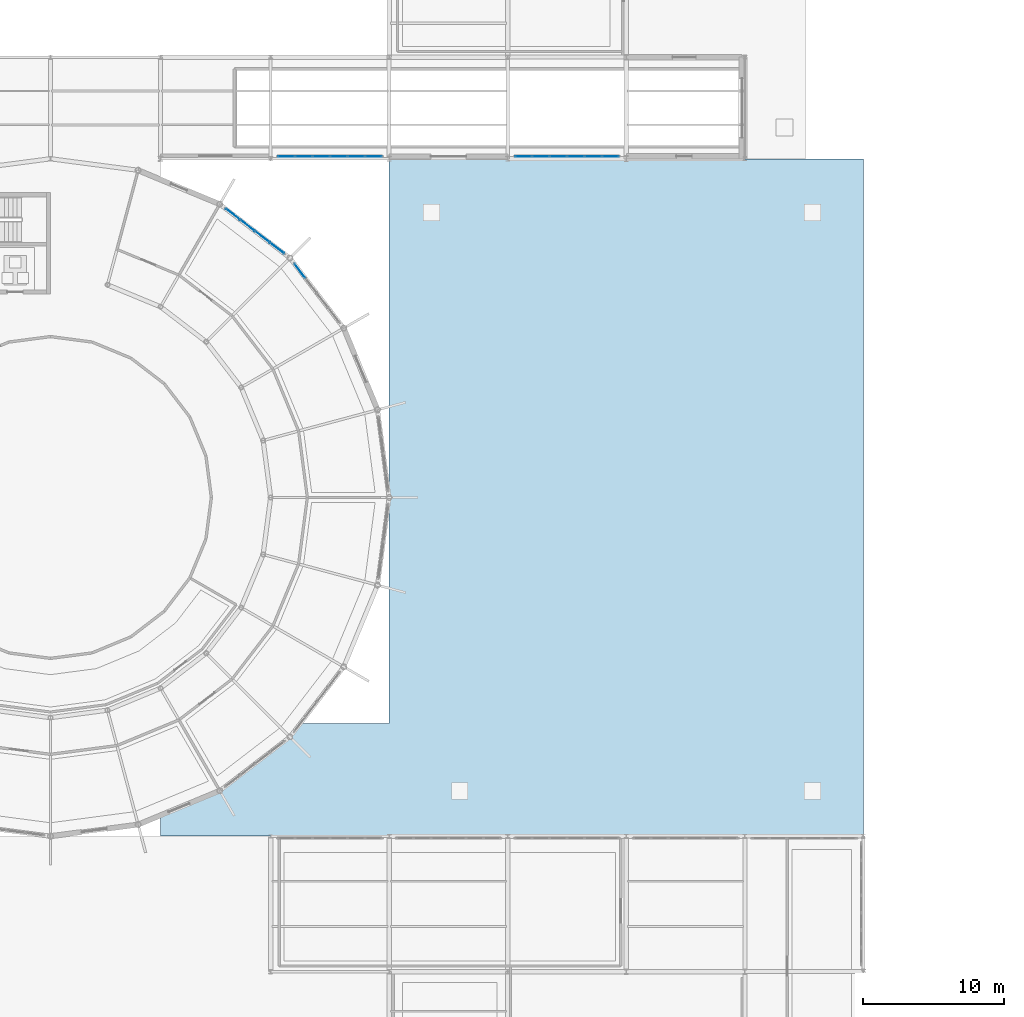
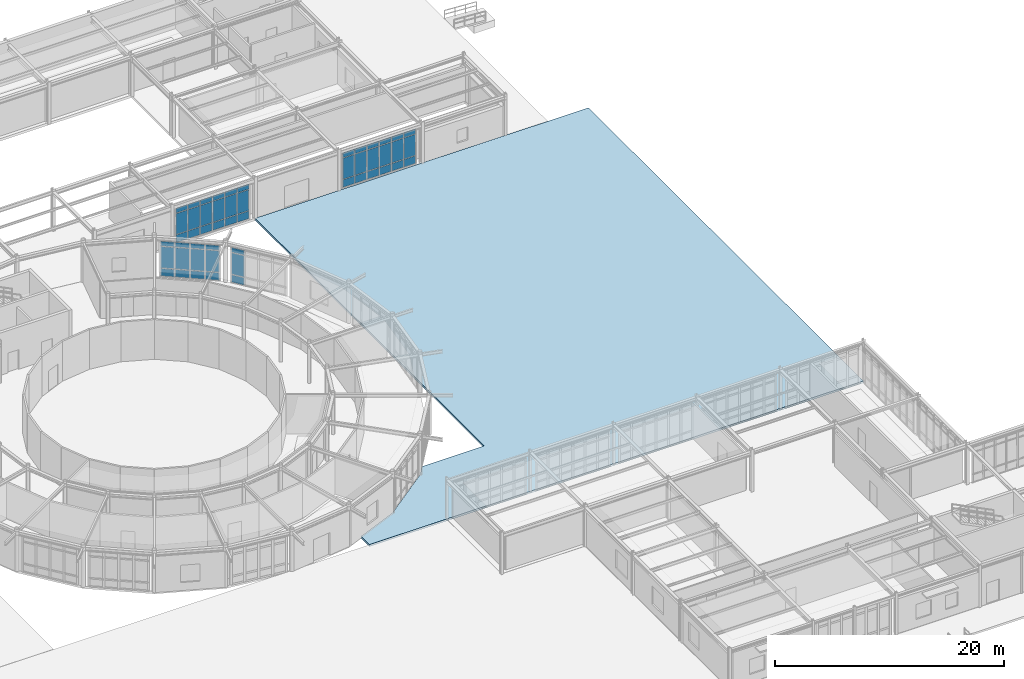
# One storey, part 69 of 101: 51 plates, 1 slab, 4 elements without a shape of their own.
"""IFC4 building model written with IfcOpenShell, lengths in metres."""

import ifcopenshell
import ifcopenshell.guid

model = None  # the IFC model being written
_history = None  # IfcOwnerHistory: only IFC2X3 demands one
_inside = {}  # id of a spatial element -> (the spatial element, [elements in it])
_under = {}  # id of a project, library or spatial element -> (it, [spatial elements below it])
_declared = {}  # id of a project -> (the project, [libraries it declares])
_typed = {}  # id of a type object -> (the type object, [elements of that type])
_made_of = {}  # id of a material, layer set ... -> (it, [elements and type objects made of it])


def new_model(schema):
    """Start an empty IFC model of exactly this schema.

    Asked for "IFC4X3", IfcOpenShell would pick the latest addendum, in which some entities
    have other attributes; the version numbers below select the first issue.
    IFC2X3 requires an IfcOwnerHistory on every rooted entity: one is made here for all.
    """
    global model, _history
    if schema == "IFC4X3":
        model = ifcopenshell.file(schema_version=(4, 3, 0, 0))
    else:
        model = ifcopenshell.file(schema=schema)
    _inside.clear()
    _under.clear()
    _declared.clear()
    _typed.clear()
    _made_of.clear()
    _history = None
    if model.schema == "IFC2X3":
        org = make("IfcOrganization", Name="unknown")
        user = make(
            "IfcPersonAndOrganization",
            ThePerson=make("IfcPerson", FamilyName="unknown"),
            TheOrganization=org,
        )
        app = make(
            "IfcApplication",
            ApplicationDeveloper=org,
            Version="unknown",
            ApplicationFullName="unknown",
            ApplicationIdentifier="unknown",
        )
        _history = make(
            "IfcOwnerHistory",
            OwningUser=user,
            OwningApplication=app,
            ChangeAction="ADDED",
            CreationDate=0,
        )
    return model


def make(cls, **values):
    """One entity of the class cls with the attributes given. An attribute that is None is left unset."""
    return model.create_entity(
        cls, **{name: value for name, value in values.items() if value is not None}
    )


def rooted(cls, **values):
    """An entity with a GlobalId (a new one), such as an element, a storey or a relation."""
    return make(cls, GlobalId=ifcopenshell.guid.new(), OwnerHistory=_history, **values)


def si_unit(unit_type, name, prefix=None):
    """IfcSIUnit, for example si_unit("LENGTHUNIT", "METRE", prefix="MILLI")."""
    return make("IfcSIUnit", UnitType=unit_type, Prefix=prefix, Name=name)


def derived_unit(unit_type, elements):
    """IfcDerivedUnit: a product of units, each with its exponent."""
    return make(
        "IfcDerivedUnit",
        Elements=[
            make("IfcDerivedUnitElement", Unit=unit, Exponent=power)
            for unit, power in elements
        ],
        UnitType=unit_type,
    )


def assignment(units):
    """IfcUnitAssignment: the units of a project."""
    return None if units is None else make("IfcUnitAssignment", Units=units)


def point(xyz):
    """IfcCartesianPoint."""
    return None if xyz is None else make("IfcCartesianPoint", Coordinates=xyz)


def direction(xyz):
    """IfcDirection."""
    return None if xyz is None else make("IfcDirection", DirectionRatios=xyz)


def frame(location, z_axis=None, x_axis=None):
    """IfcAxis2Placement3D, a coordinate frame: its origin and axes. An axis left out is left unset."""
    return make(
        "IfcAxis2Placement3D",
        Location=point(location),
        Axis=direction(z_axis),
        RefDirection=direction(x_axis),
    )


def frame_2d(location, x_axis=None):
    """IfcAxis2Placement2D, a coordinate frame in the plane: its origin and x axis."""
    return make(
        "IfcAxis2Placement2D", Location=point(location), RefDirection=direction(x_axis)
    )


def origin():
    """The frame at (0, 0, 0) with its axes left unset."""
    return frame((0.0, 0.0, 0.0))


def origin_2d():
    """The frame at (0, 0) in the plane with its x axis left unset."""
    return frame_2d((0.0, 0.0))


def place(relative_to, where):
    """IfcLocalPlacement: puts the frame where relative to a parent placement (None: the world)."""
    return make(
        "IfcLocalPlacement", PlacementRelTo=relative_to, RelativePlacement=where
    )


def context(
    kind, dimensions, precision=None, world=None, true_north=None, identifier=None
):
    """IfcGeometricRepresentationContext, for example the 3D "Model" context."""
    return make(
        "IfcGeometricRepresentationContext",
        ContextIdentifier=identifier,
        ContextType=kind,
        CoordinateSpaceDimension=dimensions,
        Precision=precision,
        WorldCoordinateSystem=world,
        TrueNorth=true_north,
    )


def subcontext(parent, identifier, kind, view, scale=None):
    """IfcGeometricRepresentationSubContext, for example "Body" below "Model"."""
    return make(
        "IfcGeometricRepresentationSubContext",
        ContextIdentifier=identifier,
        ContextType=kind,
        ParentContext=parent,
        TargetScale=scale,
        TargetView=view,
    )


def project(units=None, contexts=None):
    """IfcProject with its units and contexts."""
    return rooted(
        "IfcProject",
        Name="project",
        RepresentationContexts=contexts,
        UnitsInContext=assignment(units),
    )


def spatial(cls, under=None, at=None, **own):
    """A site, building, storey or space (cls), placed at a placement, below another one or the project."""
    s = rooted(cls, ObjectPlacement=at, **own)
    if under is not None:
        _under.setdefault(under.id(), (under, []))[1].append(s)
    return s


def polyline(points):
    """IfcPolyline through the points."""
    return make("IfcPolyline", Points=[point(p) for p in points])


def profile(cls, at=None, kind="AREA", **sizes):
    """A parametric profile (cls). Its sizes go by their IFC names, for example OverallWidth=200.0."""
    return make(cls, ProfileType=kind, Position=at, **sizes)


def rectangle(**sizes):
    """IfcRectangleProfileDef."""
    return profile("IfcRectangleProfileDef", **sizes)


def outline(outer, holes=None, kind="AREA"):
    """IfcArbitraryClosedProfileDef: a profile drawn as a closed curve; with holes, ...WithVoids."""
    if holes is None:
        return make("IfcArbitraryClosedProfileDef", ProfileType=kind, OuterCurve=outer)
    return make(
        "IfcArbitraryProfileDefWithVoids",
        ProfileType=kind,
        OuterCurve=outer,
        InnerCurves=holes,
    )


def extrude(swept, where, along, depth):
    """IfcExtrudedAreaSolid: the profile swept, set in the frame where, extruded along a direction by depth."""
    return make(
        "IfcExtrudedAreaSolid",
        SweptArea=swept,
        Position=where,
        ExtrudedDirection=direction(along),
        Depth=depth,
    )


def shape(context_of_items, identifier, shape_type, items):
    """IfcShapeRepresentation: the items that make up one representation, for example the "Body"."""
    return make(
        "IfcShapeRepresentation",
        ContextOfItems=context_of_items,
        RepresentationIdentifier=identifier,
        RepresentationType=shape_type,
        Items=items,
    )


def material(Name=None, Category=None):
    """IfcMaterial."""
    return make("IfcMaterial", Name=Name, Category=Category)


def layer(
    of_material, thickness, ventilated=None, Name=None, Category=None, Priority=None
):
    """IfcMaterialLayer: one layer of a wall or slab, of a material (None: an air gap)."""
    return make(
        "IfcMaterialLayer",
        Material=of_material,
        LayerThickness=thickness,
        IsVentilated=ventilated,
        Name=Name,
        Category=Category,
        Priority=Priority,
    )


def layer_set(layers, Name=None):
    """IfcMaterialLayerSet."""
    return make("IfcMaterialLayerSet", MaterialLayers=layers, LayerSetName=Name)


def made_of(thing, what):
    """Note that an element or type object is made of a material, layer set ...; save() writes the relation."""
    if what is not None:
        _made_of.setdefault(what.id(), (what, []))[1].append(thing)
    return thing


def type_object(cls, material=None, **own):
    """A type object (cls), such as IfcWallType, which elements share."""
    return made_of(rooted(cls, **own), material)


def element(
    cls,
    number,
    at=None,
    inside=None,
    cuts=None,
    type_object=None,
    material=None,
    context=None,
    identifier="Body",
    shape_type=None,
    held_by="IfcProductDefinitionShape",
    body=None,
    shapes=None,
    **own,
):
    """One element of the class cls, such as IfcWall. Its Tag is "e" and its number.

    at: its placement. inside: the storey or other place that contains it. cuts: it is an
    opening in that element (IfcRelVoidsElement). A single representation is given by context,
    identifier, shape_type and body (its items); several are given by shapes. held_by: the class
    of the entity that holds the representations. save() writes the other relations.
    """
    e = rooted(cls, Tag="e%d" % number, ObjectPlacement=at, **own)
    if body is not None:
        shapes = [shape(context, identifier, shape_type, body)]
    if shapes is not None:
        e.Representation = make(held_by, Representations=shapes)
    if inside is not None:
        _inside.setdefault(inside.id(), (inside, []))[1].append(e)
    if cuts is not None:
        rooted(
            "IfcRelVoidsElement", RelatingBuildingElement=cuts, RelatedOpeningElement=e
        )
    if type_object is not None:
        _typed.setdefault(type_object.id(), (type_object, []))[1].append(e)
    return made_of(e, material)


def aggregate(whole, parts):
    """IfcRelAggregates: a whole, such as a stair, and the parts it consists of."""
    return rooted("IfcRelAggregates", RelatingObject=whole, RelatedObjects=parts)


def save(model, path):
    """Write the relations noted so far, then the file.

    IfcRelAggregates (storeys below a building ...), IfcRelContainedInSpatialStructure (elements
    in a storey), IfcRelDefinesByType, IfcRelAssociatesMaterial and IfcRelDeclares: one each for
    every whole, place, type object, material and project.
    """
    for whole, parts in _under.values():
        aggregate(whole, parts)
    for where, things in _inside.values():
        rooted(
            "IfcRelContainedInSpatialStructure",
            RelatedElements=things,
            RelatingStructure=where,
        )
    for kind, things in _typed.values():
        rooted("IfcRelDefinesByType", RelatedObjects=things, RelatingType=kind)
    for what, things in _made_of.values():
        rooted("IfcRelAssociatesMaterial", RelatedObjects=things, RelatingMaterial=what)
    for by, libraries in _declared.values():
        rooted("IfcRelDeclares", RelatingContext=by, RelatedDefinitions=libraries)
    model.write(path)


model = new_model("IFC4")

# Units and contexts
model_context = context("Model", 3, precision=1e-05, world=origin(), true_north=direction((0.0, 1.0)))
body_context = subcontext(model_context, "Body", "Model", "MODEL_VIEW")
ifc_project = project(units=[si_unit("LENGTHUNIT", "METRE"), si_unit("AREAUNIT", "SQUARE_METRE"), si_unit("VOLUMEUNIT", "CUBIC_METRE"), si_unit("PLANEANGLEUNIT", "RADIAN"), si_unit("MASSUNIT", "GRAM", prefix="KILO"), derived_unit("THERMALTRANSMITTANCEUNIT", [(si_unit("POWERUNIT", "WATT"), 1), (si_unit("AREAUNIT", "SQUARE_METRE"), -1), (si_unit("THERMODYNAMICTEMPERATUREUNIT", "KELVIN"), -1)])], contexts=[model_context])

# Site, building, storey
site_placement = place(None, origin())
site = spatial("IfcSite", under=ifc_project, at=site_placement, CompositionType="ELEMENT")
building_placement = place(site_placement, origin())
building = spatial("IfcBuilding", under=site, at=building_placement, Name="Yasenodar Specialist Clinic", CompositionType="ELEMENT")
storey_placement = place(building_placement, origin())
storey = spatial("IfcBuildingStorey", under=building, at=storey_placement, Name="L00", CompositionType="ELEMENT", Elevation=0.0)

# Curtain wall, plates
ifc_material_1 = material(Name="Bronze Anodized Aluminium and Triple Low-E Glass", Category="aluminium")
ifc_layer_1 = layer(ifc_material_1, 0.1669921875)
ifc_layer_set_1 = layer_set([ifc_layer_1], Name="Bronze Anodized Aluminium and Triple Low-E Glass")
curtain_wall_type_1 = type_object("IfcCurtainWallType", Name="CW-SYS-01", PredefinedType="USERDEFINED", material=ifc_layer_set_1)
curtain_wall_1_placement = place(storey_placement, origin())
curtain_wall_1 = element("IfcCurtainWall", 1, at=curtain_wall_1_placement, inside=storey, type_object=curtain_wall_type_1, Name="L00 Unitised Curtain Wall 002", ObjectType="UNITISED CURTAIN WALL", PredefinedType="USERDEFINED")
ifc_material_2 = material(Name="Triple Low-E Argon Glazing", Category="glass")
ifc_layer_2 = layer(ifc_material_2, 0.0400390625)
ifc_layer_set_2 = layer_set([ifc_layer_2], Name="Triple Low-E Argon Glazing")
plate_type_1 = type_object("IfcPlateType", Name="CW-PAN-3", PredefinedType="CURTAIN_PANEL", material=ifc_layer_set_2)
plate_1_placement = place(storey_placement, frame((98.67724609375, 74.849853515625, 0.070068359375), z_axis=(0.0, 0.0, 1.0), x_axis=(0.608752021844, -0.793360558574, 0.0)))
plate_1 = element("IfcPlate", 2, at=plate_1_placement, type_object=plate_type_1, Name="CW-01 panel 1.1", PredefinedType="CURTAIN_PANEL", context=body_context, shape_type="SweptSolid", body=[
    extrude(rectangle(XDim=1.221435546875, YDim=0.0400390625, at=origin_2d()), origin(), (0.0, 0.0, 1.0), 0.794921875),
])
plate_2_placement = place(storey_placement, frame((98.67724609375, 74.849853515625, 0.93505859375), z_axis=(0.0, 0.0, 1.0), x_axis=(0.608752021844, -0.793360558574, 0.0)))
plate_2 = element("IfcPlate", 3, at=plate_2_placement, type_object=plate_type_1, Name="CW-01 panel 1.2", PredefinedType="CURTAIN_PANEL", context=body_context, shape_type="SweptSolid", body=[
    extrude(rectangle(XDim=1.221435546875, YDim=0.0400390625, at=origin_2d()), origin(), (0.0, 0.0, 1.0), 2.26806640625),
])
plate_3_placement = place(storey_placement, frame((98.67724609375, 74.849853515625, 3.27294921875), z_axis=(0.0, 0.0, 1.0), x_axis=(0.608752021844, -0.793360558574, 0.0)))
plate_3 = element("IfcPlate", 4, at=plate_3_placement, type_object=plate_type_1, Name="CW-01 panel 1.3", PredefinedType="CURTAIN_PANEL", context=body_context, shape_type="SweptSolid", body=[
    extrude(rectangle(XDim=1.221435546875, YDim=0.0400390625, at=origin_2d()), origin(), (0.0, 0.0, 1.0), 0.4951171875),
])
aggregate(curtain_wall_1, [plate_1, plate_2, plate_3])

ifc_layer_3 = layer(ifc_material_1, 0.215087890625)
ifc_layer_set_3 = layer_set([ifc_layer_3], Name="Bronze Anodized Aluminium and Triple Low-E Glass")
curtain_wall_type_2 = type_object("IfcCurtainWallType", Name="CW-SYS-05", PredefinedType="USERDEFINED", material=ifc_layer_set_3)
curtain_wall_2_placement = place(storey_placement, origin())
curtain_wall_2 = element("IfcCurtainWall", 5, at=curtain_wall_2_placement, inside=storey, type_object=curtain_wall_type_2, Name="L00 Unitised Curtain Wall 146", ObjectType="UNITISED CURTAIN WALL", PredefinedType="USERDEFINED")
plate_4_placement = place(storey_placement, frame((120.68505859375, 82.969970703125, 0.06005859375), z_axis=(0.0, 0.0, 1.0), x_axis=(-1.0, 0.0, 0.0)))
plate_4 = element("IfcPlate", 6, at=plate_4_placement, type_object=plate_type_1, Name="CW-05 panel 1.1", PredefinedType="CURTAIN_PANEL", context=body_context, shape_type="SweptSolid", body=[
    extrude(rectangle(XDim=1.14990234375, YDim=0.0400390625, at=origin_2d()), origin(), (0.0, 0.0, 1.0), 0.81005859375),
])
plate_5_placement = place(storey_placement, frame((120.68505859375, 82.969970703125, 0.929931640625), z_axis=(0.0, 0.0, 1.0), x_axis=(-1.0, 0.0, 0.0)))
plate_5 = element("IfcPlate", 7, at=plate_5_placement, type_object=plate_type_1, Name="CW-05 panel 1.2", PredefinedType="CURTAIN_PANEL", context=body_context, shape_type="SweptSolid", body=[
    extrude(rectangle(XDim=1.14990234375, YDim=0.0400390625, at=origin_2d()), origin(), (0.0, 0.0, 1.0), 2.22802734375),
])
plate_6_placement = place(storey_placement, frame((120.68505859375, 82.969970703125, 3.2177734375), z_axis=(0.0, 0.0, 1.0), x_axis=(-1.0, 0.0, 0.0)))
plate_6 = element("IfcPlate", 8, at=plate_6_placement, type_object=plate_type_1, Name="CW-05 panel 1.3", PredefinedType="CURTAIN_PANEL", context=body_context, shape_type="SweptSolid", body=[
    extrude(rectangle(XDim=1.14990234375, YDim=0.0400390625, at=origin_2d()), origin(), (0.0, 0.0, 1.0), 0.510009765625),
])
plate_7_placement = place(storey_placement, frame((119.4599609375, 82.969970703125, 0.06005859375), z_axis=(0.0, 0.0, 1.0), x_axis=(-1.0, 0.0, 0.0)))
plate_7 = element("IfcPlate", 9, at=plate_7_placement, type_object=plate_type_1, Name="CW-05 panel 2.1", PredefinedType="CURTAIN_PANEL", context=body_context, shape_type="SweptSolid", body=[
    extrude(rectangle(XDim=1.179931640625, YDim=0.0400390625, at=origin_2d()), origin(), (0.0, 0.0, 1.0), 0.81005859375),
])
plate_8_placement = place(storey_placement, frame((119.4599609375, 82.969970703125, 0.929931640625), z_axis=(0.0, 0.0, 1.0), x_axis=(-1.0, 0.0, 0.0)))
plate_8 = element("IfcPlate", 10, at=plate_8_placement, type_object=plate_type_1, Name="CW-05 panel 2.2", PredefinedType="CURTAIN_PANEL", context=body_context, shape_type="SweptSolid", body=[
    extrude(rectangle(XDim=1.179931640625, YDim=0.0400390625, at=origin_2d()), origin(), (0.0, 0.0, 1.0), 2.22802734375),
])
plate_9_placement = place(storey_placement, frame((119.4599609375, 82.969970703125, 3.2177734375), z_axis=(0.0, 0.0, 1.0), x_axis=(-1.0, 0.0, 0.0)))
plate_9 = element("IfcPlate", 11, at=plate_9_placement, type_object=plate_type_1, Name="CW-05 panel 2.3", PredefinedType="CURTAIN_PANEL", context=body_context, shape_type="SweptSolid", body=[
    extrude(rectangle(XDim=1.179931640625, YDim=0.0400390625, at=origin_2d()), origin(), (0.0, 0.0, 1.0), 0.510009765625),
])
plate_10_placement = place(storey_placement, frame((118.219970703125, 82.969970703125, 0.06005859375), z_axis=(0.0, 0.0, 1.0), x_axis=(-1.0, 0.0, 0.0)))
plate_10 = element("IfcPlate", 12, at=plate_10_placement, type_object=plate_type_1, Name="CW-05 panel 3.1", PredefinedType="CURTAIN_PANEL", context=body_context, shape_type="SweptSolid", body=[
    extrude(rectangle(XDim=1.179931640625, YDim=0.0400390625, at=origin_2d()), origin(), (0.0, 0.0, 1.0), 0.81005859375),
])
plate_11_placement = place(storey_placement, frame((118.219970703125, 82.969970703125, 0.929931640625), z_axis=(0.0, 0.0, 1.0), x_axis=(-1.0, 0.0, 0.0)))
plate_11 = element("IfcPlate", 13, at=plate_11_placement, type_object=plate_type_1, Name="CW-05 panel 3.2", PredefinedType="CURTAIN_PANEL", context=body_context, shape_type="SweptSolid", body=[
    extrude(rectangle(XDim=1.179931640625, YDim=0.0400390625, at=origin_2d()), origin(), (0.0, 0.0, 1.0), 2.22802734375),
])
plate_12_placement = place(storey_placement, frame((118.219970703125, 82.969970703125, 3.2177734375), z_axis=(0.0, 0.0, 1.0), x_axis=(-1.0, 0.0, 0.0)))
plate_12 = element("IfcPlate", 14, at=plate_12_placement, type_object=plate_type_1, Name="CW-05 panel 3.3", PredefinedType="CURTAIN_PANEL", context=body_context, shape_type="SweptSolid", body=[
    extrude(rectangle(XDim=1.179931640625, YDim=0.0400390625, at=origin_2d()), origin(), (0.0, 0.0, 1.0), 0.510009765625),
])
plate_13_placement = place(storey_placement, frame((116.97998046875, 82.969970703125, 0.06005859375), z_axis=(0.0, 0.0, 1.0), x_axis=(-1.0, 0.0, 0.0)))
plate_13 = element("IfcPlate", 15, at=plate_13_placement, type_object=plate_type_1, Name="CW-05 panel 4.1", PredefinedType="CURTAIN_PANEL", context=body_context, shape_type="SweptSolid", body=[
    extrude(rectangle(XDim=1.179931640625, YDim=0.0400390625, at=origin_2d()), origin(), (0.0, 0.0, 1.0), 0.81005859375),
])
plate_14_placement = place(storey_placement, frame((116.97998046875, 82.969970703125, 0.929931640625), z_axis=(0.0, 0.0, 1.0), x_axis=(-1.0, 0.0, 0.0)))
plate_14 = element("IfcPlate", 16, at=plate_14_placement, type_object=plate_type_1, Name="CW-05 panel 4.2", PredefinedType="CURTAIN_PANEL", context=body_context, shape_type="SweptSolid", body=[
    extrude(rectangle(XDim=1.179931640625, YDim=0.0400390625, at=origin_2d()), origin(), (0.0, 0.0, 1.0), 2.22802734375),
])
plate_15_placement = place(storey_placement, frame((116.97998046875, 82.969970703125, 3.2177734375), z_axis=(0.0, 0.0, 1.0), x_axis=(-1.0, 0.0, 0.0)))
plate_15 = element("IfcPlate", 17, at=plate_15_placement, type_object=plate_type_1, Name="CW-05 panel 4.3", PredefinedType="CURTAIN_PANEL", context=body_context, shape_type="SweptSolid", body=[
    extrude(rectangle(XDim=1.179931640625, YDim=0.0400390625, at=origin_2d()), origin(), (0.0, 0.0, 1.0), 0.510009765625),
])
plate_16_placement = place(storey_placement, frame((115.739990234375, 82.969970703125, 0.06005859375), z_axis=(0.0, 0.0, 1.0), x_axis=(-1.0, 0.0, 0.0)))
plate_16 = element("IfcPlate", 18, at=plate_16_placement, type_object=plate_type_1, Name="CW-05 panel 5.1", PredefinedType="CURTAIN_PANEL", context=body_context, shape_type="SweptSolid", body=[
    extrude(rectangle(XDim=1.179931640625, YDim=0.0400390625, at=origin_2d()), origin(), (0.0, 0.0, 1.0), 0.81005859375),
])
plate_17_placement = place(storey_placement, frame((115.739990234375, 82.969970703125, 0.929931640625), z_axis=(0.0, 0.0, 1.0), x_axis=(-1.0, 0.0, 0.0)))
plate_17 = element("IfcPlate", 19, at=plate_17_placement, type_object=plate_type_1, Name="CW-05 panel 5.2", PredefinedType="CURTAIN_PANEL", context=body_context, shape_type="SweptSolid", body=[
    extrude(rectangle(XDim=1.179931640625, YDim=0.0400390625, at=origin_2d()), origin(), (0.0, 0.0, 1.0), 2.22802734375),
])
plate_18_placement = place(storey_placement, frame((115.739990234375, 82.969970703125, 3.2177734375), z_axis=(0.0, 0.0, 1.0), x_axis=(-1.0, 0.0, 0.0)))
plate_18 = element("IfcPlate", 20, at=plate_18_placement, type_object=plate_type_1, Name="CW-05 panel 5.3", PredefinedType="CURTAIN_PANEL", context=body_context, shape_type="SweptSolid", body=[
    extrude(rectangle(XDim=1.179931640625, YDim=0.0400390625, at=origin_2d()), origin(), (0.0, 0.0, 1.0), 0.510009765625),
])
plate_19_placement = place(storey_placement, frame((114.514892578125, 82.969970703125, 0.06005859375), z_axis=(0.0, 0.0, 1.0), x_axis=(-1.0, 0.0, 0.0)))
plate_19 = element("IfcPlate", 21, at=plate_19_placement, type_object=plate_type_1, Name="CW-05 panel 6.1", PredefinedType="CURTAIN_PANEL", context=body_context, shape_type="SweptSolid", body=[
    extrude(rectangle(XDim=1.14990234375, YDim=0.0400390625, at=origin_2d()), origin(), (0.0, 0.0, 1.0), 0.81005859375),
])
plate_20_placement = place(storey_placement, frame((114.514892578125, 82.969970703125, 0.929931640625), z_axis=(0.0, 0.0, 1.0), x_axis=(-1.0, 0.0, 0.0)))
plate_20 = element("IfcPlate", 22, at=plate_20_placement, type_object=plate_type_1, Name="CW-05 panel 6.2", PredefinedType="CURTAIN_PANEL", context=body_context, shape_type="SweptSolid", body=[
    extrude(rectangle(XDim=1.14990234375, YDim=0.0400390625, at=origin_2d()), origin(), (0.0, 0.0, 1.0), 2.22802734375),
])
plate_21_placement = place(storey_placement, frame((114.514892578125, 82.969970703125, 3.2177734375), z_axis=(0.0, 0.0, 1.0), x_axis=(-1.0, 0.0, 0.0)))
plate_21 = element("IfcPlate", 23, at=plate_21_placement, type_object=plate_type_1, Name="CW-05 panel 6.3", PredefinedType="CURTAIN_PANEL", context=body_context, shape_type="SweptSolid", body=[
    extrude(rectangle(XDim=1.14990234375, YDim=0.0400390625, at=origin_2d()), origin(), (0.0, 0.0, 1.0), 0.510009765625),
])
aggregate(curtain_wall_2, [plate_4, plate_5, plate_6, plate_7, plate_8, plate_9, plate_10, plate_11, plate_12, plate_13, plate_14, plate_15, plate_16, plate_17, plate_18, plate_19, plate_20, plate_21])

curtain_wall_3_placement = place(storey_placement, origin())
curtain_wall_3 = element("IfcCurtainWall", 24, at=curtain_wall_3_placement, inside=storey, type_object=curtain_wall_type_1, Name="L00 Unitised Curtain Wall 003", ObjectType="UNITISED CURTAIN WALL", PredefinedType="USERDEFINED")
ifc_layer_4 = layer(ifc_material_2, 0.0458984375)
ifc_layer_set_4 = layer_set([ifc_layer_4], Name="Triple Low-E Argon Glazing")
plate_type_2 = type_object("IfcPlateType", Name="CW-PAN-4", PredefinedType="CURTAIN_PANEL", material=ifc_layer_set_4)
plate_22_placement = place(storey_placement, frame((93.9208984375, 78.8779296875, 0.070068359375), z_axis=(0.0, 0.0, 1.0), x_axis=(0.793360558574, -0.608752021844, 0.0)))
plate_22 = element("IfcPlate", 25, at=plate_22_placement, type_object=plate_type_2, Name="CW-01 panel 1.1", PredefinedType="CURTAIN_PANEL", context=body_context, shape_type="SweptSolid", body=[
    extrude(rectangle(XDim=1.221435546875, YDim=0.0458984375, at=origin_2d()), origin(), (0.0, 0.0, 1.0), 0.794921875),
])
plate_23_placement = place(storey_placement, frame((93.9208984375, 78.8779296875, 0.93505859375), z_axis=(0.0, 0.0, 1.0), x_axis=(0.793360558574, -0.608752021844, 0.0)))
plate_23 = element("IfcPlate", 26, at=plate_23_placement, type_object=plate_type_2, Name="CW-01 panel 1.2", PredefinedType="CURTAIN_PANEL", context=body_context, shape_type="SweptSolid", body=[
    extrude(rectangle(XDim=1.221435546875, YDim=0.0458984375, at=origin_2d()), origin(), (0.0, 0.0, 1.0), 2.26806640625),
])
plate_24_placement = place(storey_placement, frame((93.9208984375, 78.8779296875, 3.27294921875), z_axis=(0.0, 0.0, 1.0), x_axis=(0.793360558574, -0.608752021844, 0.0)))
plate_24 = element("IfcPlate", 27, at=plate_24_placement, type_object=plate_type_2, Name="CW-01 panel 1.3", PredefinedType="CURTAIN_PANEL", context=body_context, shape_type="SweptSolid", body=[
    extrude(rectangle(XDim=1.221435546875, YDim=0.0458984375, at=origin_2d()), origin(), (0.0, 0.0, 1.0), 0.4951171875),
])
plate_25_placement = place(storey_placement, frame((94.959228515625, 78.081298828125, 0.070068359375), z_axis=(0.0, 0.0, 1.0), x_axis=(0.793360558574, -0.608752021844, 0.0)))
plate_25 = element("IfcPlate", 28, at=plate_25_placement, type_object=plate_type_2, Name="CW-01 panel 2.1", PredefinedType="CURTAIN_PANEL", context=body_context, shape_type="SweptSolid", body=[
    extrude(rectangle(XDim=1.25634765625, YDim=0.0458984375, at=origin_2d()), origin(), (0.0, 0.0, 1.0), 0.794921875),
])
plate_26_placement = place(storey_placement, frame((94.959228515625, 78.081298828125, 0.93505859375), z_axis=(0.0, 0.0, 1.0), x_axis=(0.793360558574, -0.608752021844, 0.0)))
plate_26 = element("IfcPlate", 29, at=plate_26_placement, type_object=plate_type_2, Name="CW-01 panel 2.2", PredefinedType="CURTAIN_PANEL", context=body_context, shape_type="SweptSolid", body=[
    extrude(rectangle(XDim=1.25634765625, YDim=0.0458984375, at=origin_2d()), origin(), (0.0, 0.0, 1.0), 2.26806640625),
])
plate_27_placement = place(storey_placement, frame((94.959228515625, 78.081298828125, 3.27294921875), z_axis=(0.0, 0.0, 1.0), x_axis=(0.793360558574, -0.608752021844, 0.0)))
plate_27 = element("IfcPlate", 30, at=plate_27_placement, type_object=plate_type_2, Name="CW-01 panel 2.3", PredefinedType="CURTAIN_PANEL", context=body_context, shape_type="SweptSolid", body=[
    extrude(rectangle(XDim=1.25634765625, YDim=0.0458984375, at=origin_2d()), origin(), (0.0, 0.0, 1.0), 0.4951171875),
])
plate_28_placement = place(storey_placement, frame((96.011474609375, 77.27392578125, 0.070068359375), z_axis=(0.0, 0.0, 1.0), x_axis=(0.793360558574, -0.608752021844, 0.0)))
plate_28 = element("IfcPlate", 31, at=plate_28_placement, type_object=plate_type_2, Name="CW-01 panel 3.1", PredefinedType="CURTAIN_PANEL", context=body_context, shape_type="SweptSolid", body=[
    extrude(rectangle(XDim=1.25634765625, YDim=0.0458984375, at=origin_2d()), origin(), (0.0, 0.0, 1.0), 0.794921875),
])
plate_29_placement = place(storey_placement, frame((96.011474609375, 77.27392578125, 0.93505859375), z_axis=(0.0, 0.0, 1.0), x_axis=(0.793360558574, -0.608752021844, 0.0)))
plate_29 = element("IfcPlate", 32, at=plate_29_placement, type_object=plate_type_2, Name="CW-01 panel 3.2", PredefinedType="CURTAIN_PANEL", context=body_context, shape_type="SweptSolid", body=[
    extrude(rectangle(XDim=1.25634765625, YDim=0.0458984375, at=origin_2d()), origin(), (0.0, 0.0, 1.0), 2.26806640625),
])
plate_30_placement = place(storey_placement, frame((96.011474609375, 77.27392578125, 3.27294921875), z_axis=(0.0, 0.0, 1.0), x_axis=(0.793360558574, -0.608752021844, 0.0)))
plate_30 = element("IfcPlate", 33, at=plate_30_placement, type_object=plate_type_2, Name="CW-01 panel 3.3", PredefinedType="CURTAIN_PANEL", context=body_context, shape_type="SweptSolid", body=[
    extrude(rectangle(XDim=1.25634765625, YDim=0.0458984375, at=origin_2d()), origin(), (0.0, 0.0, 1.0), 0.4951171875),
])
plate_31_placement = place(storey_placement, frame((97.0498046875, 76.47705078125, 0.070068359375), z_axis=(0.0, 0.0, 1.0), x_axis=(0.793360558574, -0.608752021844, 0.0)))
plate_31 = element("IfcPlate", 34, at=plate_31_placement, type_object=plate_type_2, Name="CW-01 panel 4.1", PredefinedType="CURTAIN_PANEL", context=body_context, shape_type="SweptSolid", body=[
    extrude(rectangle(XDim=1.221435546875, YDim=0.0458984375, at=origin_2d()), origin(), (0.0, 0.0, 1.0), 0.794921875),
])
plate_32_placement = place(storey_placement, frame((97.0498046875, 76.47705078125, 0.93505859375), z_axis=(0.0, 0.0, 1.0), x_axis=(0.793360558574, -0.608752021844, 0.0)))
plate_32 = element("IfcPlate", 35, at=plate_32_placement, type_object=plate_type_2, Name="CW-01 panel 4.2", PredefinedType="CURTAIN_PANEL", context=body_context, shape_type="SweptSolid", body=[
    extrude(rectangle(XDim=1.221435546875, YDim=0.0458984375, at=origin_2d()), origin(), (0.0, 0.0, 1.0), 2.26806640625),
])
plate_33_placement = place(storey_placement, frame((97.0498046875, 76.47705078125, 3.27294921875), z_axis=(0.0, 0.0, 1.0), x_axis=(0.793360558574, -0.608752021844, 0.0)))
plate_33 = element("IfcPlate", 36, at=plate_33_placement, type_object=plate_type_2, Name="CW-01 panel 4.3", PredefinedType="CURTAIN_PANEL", context=body_context, shape_type="SweptSolid", body=[
    extrude(rectangle(XDim=1.221435546875, YDim=0.0458984375, at=origin_2d()), origin(), (0.0, 0.0, 1.0), 0.4951171875),
])
aggregate(curtain_wall_3, [plate_22, plate_23, plate_24, plate_25, plate_26, plate_27, plate_28, plate_29, plate_30, plate_31, plate_32, plate_33])

curtain_wall_4_placement = place(storey_placement, origin())
curtain_wall_4 = element("IfcCurtainWall", 37, at=curtain_wall_4_placement, inside=storey, type_object=curtain_wall_type_2, Name="L00 Unitised Curtain Wall 147", ObjectType="UNITISED CURTAIN WALL", PredefinedType="USERDEFINED")
plate_34_placement = place(storey_placement, frame((103.885009765625, 82.969970703125, 0.06005859375), z_axis=(0.0, 0.0, 1.0), x_axis=(-1.0, 0.0, 0.0)))
plate_34 = element("IfcPlate", 38, at=plate_34_placement, type_object=plate_type_2, Name="CW-05 panel 1.1", PredefinedType="CURTAIN_PANEL", context=body_context, shape_type="SweptSolid", body=[
    extrude(rectangle(XDim=1.14990234375, YDim=0.0458984375, at=origin_2d()), origin(), (0.0, 0.0, 1.0), 0.81005859375),
])
plate_35_placement = place(storey_placement, frame((103.885009765625, 82.969970703125, 0.93017578125), z_axis=(0.0, 0.0, 1.0), x_axis=(-1.0, 0.0, 0.0)))
plate_35 = element("IfcPlate", 39, at=plate_35_placement, type_object=plate_type_2, Name="CW-05 panel 1.2", PredefinedType="CURTAIN_PANEL", context=body_context, shape_type="SweptSolid", body=[
    extrude(rectangle(XDim=1.14990234375, YDim=0.0458984375, at=origin_2d()), origin(), (0.0, 0.0, 1.0), 2.218017578125),
])
plate_36_placement = place(storey_placement, frame((103.885009765625, 82.969970703125, 3.2080078125), z_axis=(0.0, 0.0, 1.0), x_axis=(-1.0, 0.0, 0.0)))
plate_36 = element("IfcPlate", 40, at=plate_36_placement, type_object=plate_type_2, Name="CW-05 panel 1.3", PredefinedType="CURTAIN_PANEL", context=body_context, shape_type="SweptSolid", body=[
    extrude(rectangle(XDim=1.14990234375, YDim=0.0458984375, at=origin_2d()), origin(), (0.0, 0.0, 1.0), 0.510009765625),
])
plate_37_placement = place(storey_placement, frame((102.659912109375, 82.969970703125, 0.06005859375), z_axis=(0.0, 0.0, 1.0), x_axis=(-1.0, 0.0, 0.0)))
plate_37 = element("IfcPlate", 41, at=plate_37_placement, type_object=plate_type_2, Name="CW-05 panel 2.1", PredefinedType="CURTAIN_PANEL", context=body_context, shape_type="SweptSolid", body=[
    extrude(rectangle(XDim=1.179931640625, YDim=0.0458984375, at=origin_2d()), origin(), (0.0, 0.0, 1.0), 0.81005859375),
])
plate_38_placement = place(storey_placement, frame((102.659912109375, 82.969970703125, 0.93017578125), z_axis=(0.0, 0.0, 1.0), x_axis=(-1.0, 0.0, 0.0)))
plate_38 = element("IfcPlate", 42, at=plate_38_placement, type_object=plate_type_2, Name="CW-05 panel 2.2", PredefinedType="CURTAIN_PANEL", context=body_context, shape_type="SweptSolid", body=[
    extrude(rectangle(XDim=1.179931640625, YDim=0.0458984375, at=origin_2d()), origin(), (0.0, 0.0, 1.0), 2.218017578125),
])
plate_39_placement = place(storey_placement, frame((102.659912109375, 82.969970703125, 3.2080078125), z_axis=(0.0, 0.0, 1.0), x_axis=(-1.0, 0.0, 0.0)))
plate_39 = element("IfcPlate", 43, at=plate_39_placement, type_object=plate_type_2, Name="CW-05 panel 2.3", PredefinedType="CURTAIN_PANEL", context=body_context, shape_type="SweptSolid", body=[
    extrude(rectangle(XDim=1.179931640625, YDim=0.0458984375, at=origin_2d()), origin(), (0.0, 0.0, 1.0), 0.510009765625),
])
plate_40_placement = place(storey_placement, frame((101.419921875, 82.969970703125, 0.06005859375), z_axis=(0.0, 0.0, 1.0), x_axis=(-1.0, 0.0, 0.0)))
plate_40 = element("IfcPlate", 44, at=plate_40_placement, type_object=plate_type_2, Name="CW-05 panel 3.1", PredefinedType="CURTAIN_PANEL", context=body_context, shape_type="SweptSolid", body=[
    extrude(rectangle(XDim=1.179931640625, YDim=0.0458984375, at=origin_2d()), origin(), (0.0, 0.0, 1.0), 0.81005859375),
])
plate_41_placement = place(storey_placement, frame((101.419921875, 82.969970703125, 0.93017578125), z_axis=(0.0, 0.0, 1.0), x_axis=(-1.0, 0.0, 0.0)))
plate_41 = element("IfcPlate", 45, at=plate_41_placement, type_object=plate_type_2, Name="CW-05 panel 3.2", PredefinedType="CURTAIN_PANEL", context=body_context, shape_type="SweptSolid", body=[
    extrude(rectangle(XDim=1.179931640625, YDim=0.0458984375, at=origin_2d()), origin(), (0.0, 0.0, 1.0), 2.218017578125),
])
plate_42_placement = place(storey_placement, frame((101.419921875, 82.969970703125, 3.2080078125), z_axis=(0.0, 0.0, 1.0), x_axis=(-1.0, 0.0, 0.0)))
plate_42 = element("IfcPlate", 46, at=plate_42_placement, type_object=plate_type_2, Name="CW-05 panel 3.3", PredefinedType="CURTAIN_PANEL", context=body_context, shape_type="SweptSolid", body=[
    extrude(rectangle(XDim=1.179931640625, YDim=0.0458984375, at=origin_2d()), origin(), (0.0, 0.0, 1.0), 0.510009765625),
])
plate_43_placement = place(storey_placement, frame((100.179931640625, 82.969970703125, 0.06005859375), z_axis=(0.0, 0.0, 1.0), x_axis=(-1.0, 0.0, 0.0)))
plate_43 = element("IfcPlate", 47, at=plate_43_placement, type_object=plate_type_2, Name="CW-05 panel 4.1", PredefinedType="CURTAIN_PANEL", context=body_context, shape_type="SweptSolid", body=[
    extrude(rectangle(XDim=1.179931640625, YDim=0.0458984375, at=origin_2d()), origin(), (0.0, 0.0, 1.0), 0.81005859375),
])
plate_44_placement = place(storey_placement, frame((100.179931640625, 82.969970703125, 0.93017578125), z_axis=(0.0, 0.0, 1.0), x_axis=(-1.0, 0.0, 0.0)))
plate_44 = element("IfcPlate", 48, at=plate_44_placement, type_object=plate_type_2, Name="CW-05 panel 4.2", PredefinedType="CURTAIN_PANEL", context=body_context, shape_type="SweptSolid", body=[
    extrude(rectangle(XDim=1.179931640625, YDim=0.0458984375, at=origin_2d()), origin(), (0.0, 0.0, 1.0), 2.218017578125),
])
plate_45_placement = place(storey_placement, frame((100.179931640625, 82.969970703125, 3.2080078125), z_axis=(0.0, 0.0, 1.0), x_axis=(-1.0, 0.0, 0.0)))
plate_45 = element("IfcPlate", 49, at=plate_45_placement, type_object=plate_type_2, Name="CW-05 panel 4.3", PredefinedType="CURTAIN_PANEL", context=body_context, shape_type="SweptSolid", body=[
    extrude(rectangle(XDim=1.179931640625, YDim=0.0458984375, at=origin_2d()), origin(), (0.0, 0.0, 1.0), 0.510009765625),
])
plate_46_placement = place(storey_placement, frame((98.93994140625, 82.969970703125, 0.06005859375), z_axis=(0.0, 0.0, 1.0), x_axis=(-1.0, 0.0, 0.0)))
plate_46 = element("IfcPlate", 50, at=plate_46_placement, type_object=plate_type_2, Name="CW-05 panel 5.1", PredefinedType="CURTAIN_PANEL", context=body_context, shape_type="SweptSolid", body=[
    extrude(rectangle(XDim=1.179931640625, YDim=0.0458984375, at=origin_2d()), origin(), (0.0, 0.0, 1.0), 0.81005859375),
])
plate_47_placement = place(storey_placement, frame((98.93994140625, 82.969970703125, 0.93017578125), z_axis=(0.0, 0.0, 1.0), x_axis=(-1.0, 0.0, 0.0)))
plate_47 = element("IfcPlate", 51, at=plate_47_placement, type_object=plate_type_2, Name="CW-05 panel 5.2", PredefinedType="CURTAIN_PANEL", context=body_context, shape_type="SweptSolid", body=[
    extrude(rectangle(XDim=1.179931640625, YDim=0.0458984375, at=origin_2d()), origin(), (0.0, 0.0, 1.0), 2.218017578125),
])
plate_48_placement = place(storey_placement, frame((98.93994140625, 82.969970703125, 3.2080078125), z_axis=(0.0, 0.0, 1.0), x_axis=(-1.0, 0.0, 0.0)))
plate_48 = element("IfcPlate", 52, at=plate_48_placement, type_object=plate_type_2, Name="CW-05 panel 5.3", PredefinedType="CURTAIN_PANEL", context=body_context, shape_type="SweptSolid", body=[
    extrude(rectangle(XDim=1.179931640625, YDim=0.0458984375, at=origin_2d()), origin(), (0.0, 0.0, 1.0), 0.510009765625),
])
plate_49_placement = place(storey_placement, frame((97.715087890625, 82.969970703125, 0.06005859375), z_axis=(0.0, 0.0, 1.0), x_axis=(-1.0, 0.0, 0.0)))
plate_49 = element("IfcPlate", 53, at=plate_49_placement, type_object=plate_type_2, Name="CW-05 panel 6.1", PredefinedType="CURTAIN_PANEL", context=body_context, shape_type="SweptSolid", body=[
    extrude(rectangle(XDim=1.14990234375, YDim=0.0458984375, at=origin_2d()), origin(), (0.0, 0.0, 1.0), 0.81005859375),
])
plate_50_placement = place(storey_placement, frame((97.715087890625, 82.969970703125, 0.93017578125), z_axis=(0.0, 0.0, 1.0), x_axis=(-1.0, 0.0, 0.0)))
plate_50 = element("IfcPlate", 54, at=plate_50_placement, type_object=plate_type_2, Name="CW-05 panel 6.2", PredefinedType="CURTAIN_PANEL", context=body_context, shape_type="SweptSolid", body=[
    extrude(rectangle(XDim=1.14990234375, YDim=0.0458984375, at=origin_2d()), origin(), (0.0, 0.0, 1.0), 2.218017578125),
])
plate_51_placement = place(storey_placement, frame((97.715087890625, 82.969970703125, 3.2080078125), z_axis=(0.0, 0.0, 1.0), x_axis=(-1.0, 0.0, 0.0)))
plate_51 = element("IfcPlate", 55, at=plate_51_placement, type_object=plate_type_2, Name="CW-05 panel 6.3", PredefinedType="CURTAIN_PANEL", context=body_context, shape_type="SweptSolid", body=[
    extrude(rectangle(XDim=1.14990234375, YDim=0.0458984375, at=origin_2d()), origin(), (0.0, 0.0, 1.0), 0.510009765625),
])
aggregate(curtain_wall_4, [plate_34, plate_35, plate_36, plate_37, plate_38, plate_39, plate_40, plate_41, plate_42, plate_43, plate_44, plate_45, plate_46, plate_47, plate_48, plate_49, plate_50, plate_51])

# Slab
ifc_material_3 = material(Name="Concrete C30/37", Category="concrete")
ifc_layer_5 = layer(ifc_material_3, 0.2099609375)
ifc_layer_set_5 = layer_set([ifc_layer_5], Name="Concrete C30/37")
slab_type = type_object("IfcSlabType", Name="SLB-APRON-210", PredefinedType="FLOOR", material=ifc_layer_set_5)
slab_placement = place(storey_placement, frame((0.0, 0.0, -0.2099609375)))
element("IfcSlab", 56, at=slab_placement, inside=storey, type_object=slab_type, Name="Rear Healing Garden Walkways", PredefinedType="FLOOR", context=body_context, shape_type="SweptSolid", body=[
    extrude(outline(polyline([(88.800048828125, 34.800048828125), (88.800048828125, 36.259521484375), (93.007568359375, 38.002197265625), (97.981201171875, 41.818603515625), (98.734375, 42.800048828125), (105.0, 42.800048828125), (105.0, 58.68505859375), (105.01513671875, 58.800048828125), (105.0, 58.914794921875), (105.0, 82.784912109375), (138.60009765625, 82.800048828125), (138.60009765625, 34.81494140625), (88.800048828125, 34.800048828125)])), origin(), (0.0, 0.0, 1.0), 0.2099609375),
])

save(model, "model.ifc")
